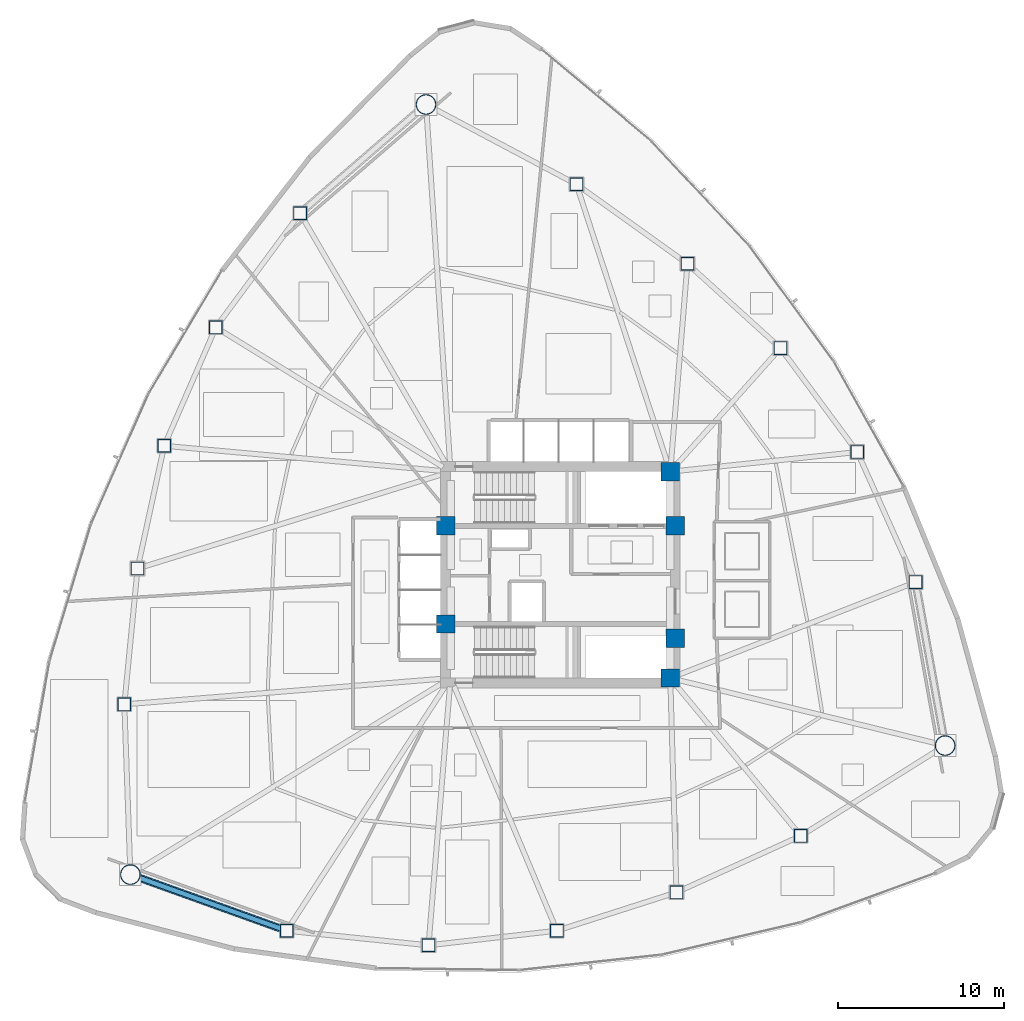
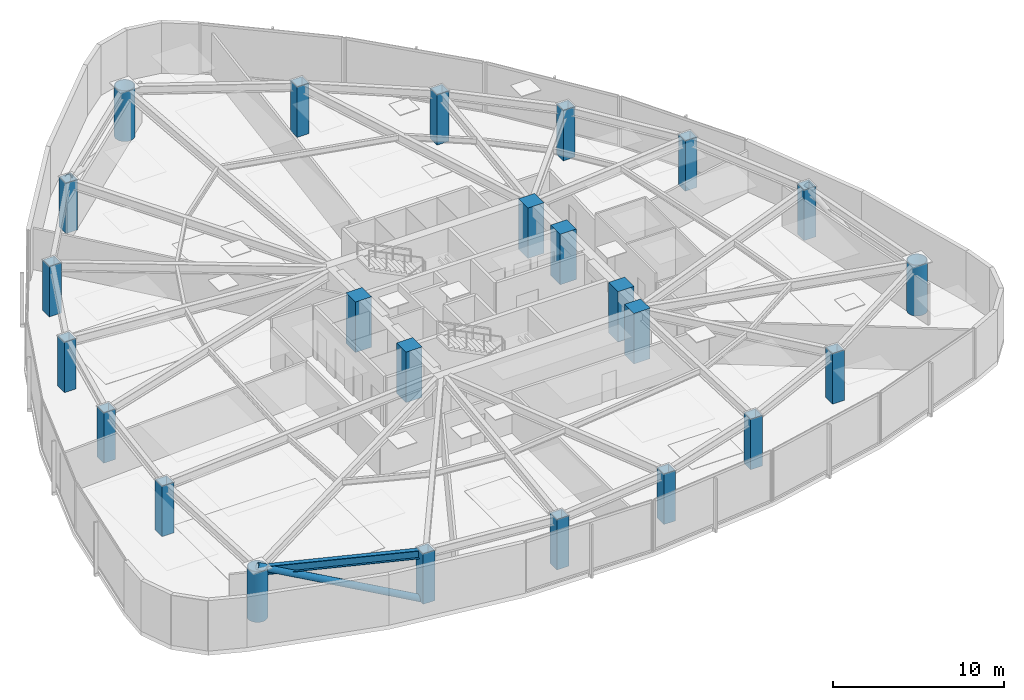
# One storey, part 1 of 16: 24 columns, 1 beam, 1 member.
"""IFC4 building model written with IfcOpenShell, lengths in metres."""

from ifc_helpers import new_model, si_unit, direction, frame, origin, origin_2d, place, context, subcontext, project, spatial, rectangle, hollow_rectangle, hollow_circle, i_section, extrude, material, material_profile, profile_set, type_object, element, save


model = new_model("IFC4")

# Units and contexts
model_context = context("Model", 3, precision=1e-05, world=origin(), true_north=direction((0.0, 1.0)))
body_context = subcontext(model_context, "Body", "Model", "MODEL_VIEW")
ifc_project = project(units=[si_unit("LENGTHUNIT", "METRE"), si_unit("AREAUNIT", "SQUARE_METRE"), si_unit("VOLUMEUNIT", "CUBIC_METRE"), si_unit("PLANEANGLEUNIT", "RADIAN"), si_unit("MASSUNIT", "GRAM", prefix="KILO")], contexts=[model_context])

# Site, building, storey
site_placement = place(None, origin())
site = spatial("IfcSite", under=ifc_project, at=site_placement, CompositionType="ELEMENT")
building_placement = place(site_placement, origin())
building = spatial("IfcBuilding", under=site, at=building_placement, Name="Tavelor Broadcast Tower", CompositionType="ELEMENT")
storey_placement = place(building_placement, frame((0.0, 0.0, 35.39990234375)))
storey = spatial("IfcBuildingStorey", under=building, at=storey_placement, Name="L07", CompositionType="ELEMENT", Elevation=35.39990234375)

# Columns
ifc_material_1 = material(Name="Concrete C60/75", Category="concrete")
ifc_material_profile_1 = material_profile(ifc_material_1, rectangle(XDim=1.10009765625, YDim=1.10009765625, at=origin_2d()), Name="RC 1100x1100")
ifc_profile_set_1 = profile_set([ifc_material_profile_1], Name="Concrete C60/75")
column_type_1 = type_object("IfcColumnType", Name="Core Embedded Composite Column RC1100", PredefinedType="COLUMN", material=ifc_profile_set_1)
for number, where, z_axis, x_axis, name in (
    (1, (43.10009765625, 47.949951171875, 0.0), (0.0, 0.0, 1.0), (1.0, 0.0, 0.0), "L07 Core Embedded Column 1"),
    (2, (56.89990234375, 47.949951171875, 0.0), (0.0, 0.0, 1.0), (1.0, 0.0, 0.0), "L07 Core Embedded Column 2"),
    (3, (56.60009765625, 51.199951171875, 0.0), (0.0, 0.0, 1.0), (1.0, 0.0, 0.0), "L07 Core Embedded Column 3"),
    (4, (43.10009765625, 42.050048828125, 0.0), (0.0, 0.0, 1.0), (1.0, 0.0, 0.0), "L07 Core Embedded Column 4"),
    (5, (56.89990234375, 41.199951171875, 0.0), (0.0, 0.0, 1.0), (1.0, 0.0, 0.0), "L07 Core Embedded Column 5"),
    (6, (56.60009765625, 38.800048828125, 0.0), (0.0, 0.0, 1.0), (1.0, 0.0, 0.0), "L07 Core Embedded Column 6"),
):
    element("IfcColumn", number, at=place(storey_placement, frame(where, z_axis=z_axis, x_axis=x_axis)), inside=storey, type_object=column_type_1, Name=name, PredefinedType="COLUMN", context=body_context, shape_type="SweptSolid", body=[
        extrude(rectangle(XDim=1.10009765625, YDim=1.10009765625, at=origin_2d()), origin(), (0.0, 0.0, 1.0), 3.60009765625),
    ])
ifc_material_2 = material(Name="Steel S460", Category="steel")
ifc_material_profile_2 = material_profile(ifc_material_2, hollow_rectangle(XDim=0.800048828125, YDim=0.800048828125, WallThickness=0.044921875, at=origin_2d()), Name="SHS 800x800x45")
ifc_profile_set_2 = profile_set([ifc_material_profile_2], Name="Steel S460")
column_type_2 = type_object("IfcColumnType", Name="Perimeter Tube Column T1 SHS 800x800x45", PredefinedType="COLUMN", material=ifc_profile_set_2)
for number, where, z_axis, x_axis, name in (
    (7, (34.356201171875, 66.727783203125, 0.0), (0.0, 0.0, 1.0), (1.0, 0.0, 0.0), "L07 Perimeter Framed-Tube Column 02"),
    (8, (29.292236328125, 59.87158203125, 0.0), (0.0, 0.0, 1.0), (1.0, 0.0, 0.0), "L07 Perimeter Framed-Tube Column 03"),
    (9, (26.189208984375, 52.75830078125, 0.0), (0.0, 0.0, 1.0), (1.0, 0.0, 0.0), "L07 Perimeter Framed-Tube Column 04"),
    (10, (24.58984375, 45.380615234375, 0.0), (0.0, 0.0, 1.0), (1.0, 0.0, 0.0), "L07 Perimeter Framed-Tube Column 05"),
    (11, (23.794677734375, 37.21630859375, 0.0), (0.0, 0.0, 1.0), (1.0, 0.0, 0.0), "L07 Perimeter Framed-Tube Column 06"),
    (12, (33.55078125, 23.615478515625, 0.0), (0.0, 0.0, 1.0), (1.0, 0.0, 0.0), "L07 Perimeter Framed-Tube Column 08"),
    (13, (42.0732421875, 22.740478515625, 0.0), (0.0, 0.0, 1.0), (1.0, 0.0, 0.0), "L07 Perimeter Framed-Tube Column 09"),
    (14, (49.78662109375, 23.617919921875, 0.0), (0.0, 0.0, 1.0), (1.0, 0.0, 0.0), "L07 Perimeter Framed-Tube Column 10"),
    (15, (56.975341796875, 25.92138671875, 0.0), (0.0, 0.0, 1.0), (1.0, 0.0, 0.0), "L07 Perimeter Framed-Tube Column 11"),
    (16, (64.443603515625, 29.31494140625, 0.0), (0.0, 0.0, 1.0), (1.0, 0.0, 0.0), "L07 Perimeter Framed-Tube Column 12"),
    (17, (71.343994140625, 44.564697265625, 0.0), (0.0, 0.0, 1.0), (1.0, 0.0, 0.0), "L07 Perimeter Framed-Tube Column 14"),
    (18, (67.8408203125, 52.382568359375, 0.0), (0.0, 0.0, 1.0), (1.0, 0.0, 0.0), "L07 Perimeter Framed-Tube Column 15"),
    (19, (63.22412109375, 58.623779296875, 0.0), (0.0, 0.0, 1.0), (1.0, 0.0, 0.0), "L07 Perimeter Framed-Tube Column 16"),
    (20, (57.634765625, 63.69775390625, 0.0), (0.0, 0.0, 1.0), (1.0, 0.0, 0.0), "L07 Perimeter Framed-Tube Column 17"),
    (21, (50.9619140625, 68.468505859375, 0.0), (0.0, 0.0, 1.0), (1.0, 0.0, 0.0), "L07 Perimeter Framed-Tube Column 18"),
):
    element("IfcColumn", number, at=place(storey_placement, frame(where, z_axis=z_axis, x_axis=x_axis)), inside=storey, type_object=column_type_2, Name=name, PredefinedType="COLUMN", context=body_context, shape_type="SweptSolid", body=[
        extrude(hollow_rectangle(XDim=0.800048828125, YDim=0.800048828125, WallThickness=0.044921875, at=origin_2d()), origin(), (0.0, 0.0, 1.0), 3.60009765625),
    ])
ifc_material_profile_3 = material_profile(ifc_material_2, hollow_circle(Radius=0.609619140625, WallThickness=0.050048828125, at=origin_2d()), Name="CHS 1219x50")
ifc_profile_set_3 = profile_set([ifc_material_profile_3], Name="Steel S460")
column_type_3 = type_object("IfcColumnType", Name="Tower Mega Column T1 CHS 1219x50", PredefinedType="COLUMN", material=ifc_profile_set_3)
for number, where, z_axis, x_axis, name in (
    (22, (41.923095703125, 73.266357421875, 0.0), (0.0, 0.0, 1.0), (1.0, 0.0, 0.0), "L07 Tower Corner Mega Column 01"),
    (23, (24.1591796875, 26.98974609375, 0.0), (0.0, 0.0, 1.0), (1.0, 0.0, 0.0), "L07 Tower Corner Mega Column 07"),
    (24, (73.117919921875, 34.743896484375, 0.0), (0.0, 0.0, 1.0), (1.0, 0.0, 0.0), "L07 Tower Corner Mega Column 13"),
):
    element("IfcColumn", number, at=place(storey_placement, frame(where, z_axis=z_axis, x_axis=x_axis)), inside=storey, type_object=column_type_3, Name=name, PredefinedType="COLUMN", context=body_context, shape_type="SweptSolid", body=[
        extrude(hollow_circle(Radius=0.609619140625, WallThickness=0.050048828125, at=origin_2d()), origin(), (0.0, 0.0, 1.0), 3.60009765625),
    ])

# Beam
ifc_material_3 = material(Name="Steel S355", Category="steel")
ifc_material_profile_4 = material_profile(ifc_material_3, i_section(OverallWidth=0.300048828125, OverallDepth=0.60009765625, WebThickness=0.015380859375, FlangeThickness=0.030029296875, at=origin_2d()), Name="HEB 600")
ifc_profile_set_4 = profile_set([ifc_material_profile_4], Name="Steel S355")
beam_type = type_object("IfcBeamType", Name="Perimeter Spandrel Beam T1 HEB 600", PredefinedType="SPANDREL", material=ifc_profile_set_4)
beam_placement = place(storey_placement, frame((24.709716796875, 26.7919921875, 3.300048828125), z_axis=(0.941102066303, -0.338122612081, 0.0), x_axis=(0.338122612081, 0.941102066303, 0.0)))
element("IfcBeam", 25, at=beam_placement, inside=storey, type_object=beam_type, Name="L07 Framed-Tube Ring Spandrel 07", PredefinedType="SPANDREL", context=body_context, shape_type="SweptSolid", body=[
    extrude(i_section(OverallWidth=0.300048828125, OverallDepth=0.60009765625, WebThickness=0.015380859375, FlangeThickness=0.030029296875, at=origin_2d()), origin(), (0.0, 0.0, 1.0), 9.010498046875),
])

# Member
ifc_material_profile_5 = material_profile(ifc_material_3, hollow_circle(Radius=0.228515625, WallThickness=0.02001953125, at=origin_2d()), Name="CHS 457x20")
ifc_profile_set_5 = profile_set([ifc_material_profile_5], Name="Steel S355")
member_type = type_object("IfcMemberType", Name="Perimeter Tube Brace T1 CHS 457x20", PredefinedType="BRACE", material=ifc_profile_set_5)
member_placement = place(storey_placement, frame((33.55078125, 23.615478515625, 0.0), z_axis=(-0.885257630536, 0.318060354363, 0.339347224183), x_axis=(-0.338124247145, -0.941101478849, 0.0)))
element("IfcMember", 26, at=member_placement, inside=storey, type_object=member_type, Name="L07 Corner Tube Diagonal Brace 2", PredefinedType="BRACE", context=body_context, shape_type="SweptSolid", body=[
    extrude(hollow_circle(Radius=0.228515625, WallThickness=0.02001953125, at=origin_2d()), origin(), (0.0, 0.0, 1.0), 10.60888671875),
])

save(model, "model.ifc")
